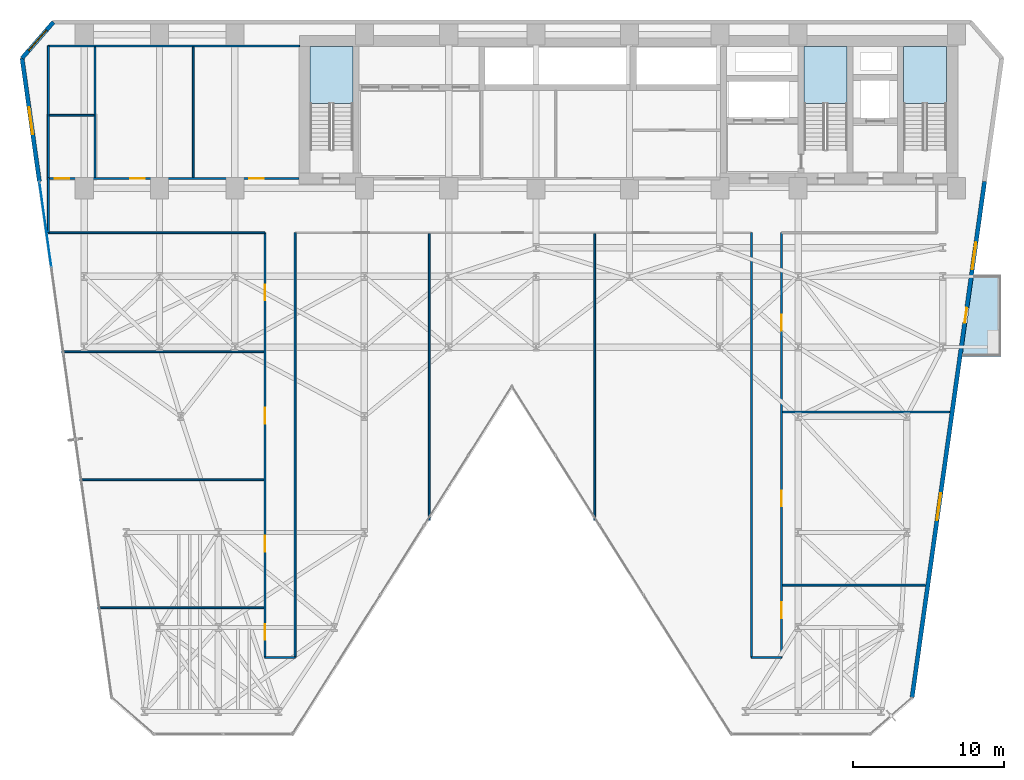
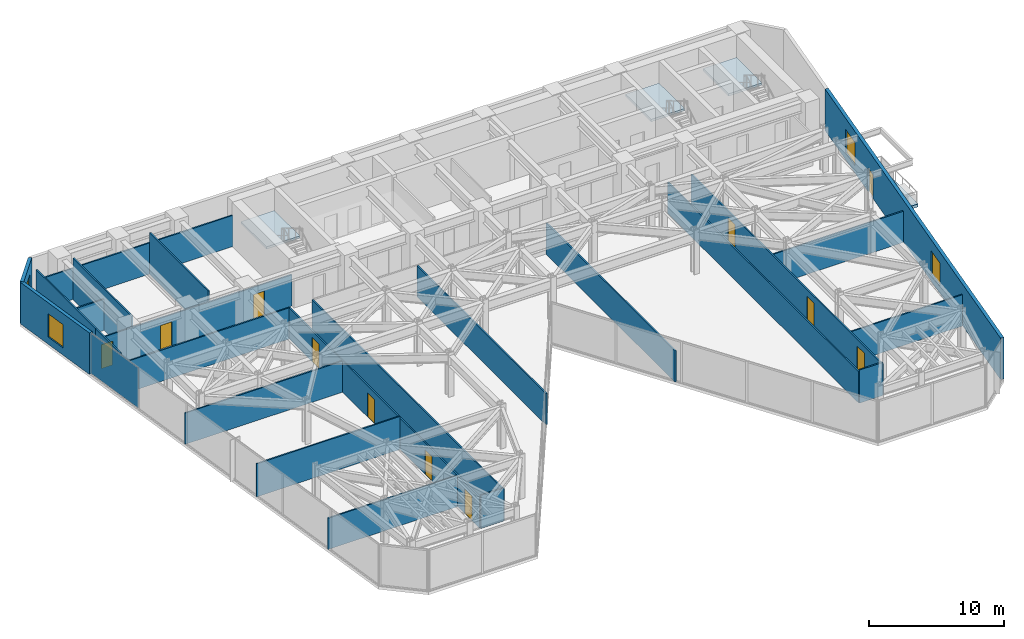
# One storey, part 19 of 25: 24 walls, 11 doors, 4 slabs, 4 windows, 1 plate, 15 openings, 4 elements without a shape of their own.
"""IFC4 building model written with IfcOpenShell, lengths in metres."""

from ifc_helpers import new_model, si_unit, direction, frame, frame_2d, origin, origin_2d, place, context, subcontext, project, spatial, polyline, rectangle, outline, extrude, material, layer, layer_set, type_object, element, fill, aggregate, save


model = new_model("IFC4")

# Units and contexts
model_context = context("Model", 3, precision=1e-05, world=origin(), true_north=direction((0.0, 1.0)))
body_context = subcontext(model_context, "Body", "Model", "MODEL_VIEW")
ifc_project = project(units=[si_unit("LENGTHUNIT", "METRE"), si_unit("AREAUNIT", "SQUARE_METRE"), si_unit("VOLUMEUNIT", "CUBIC_METRE"), si_unit("PLANEANGLEUNIT", "RADIAN"), si_unit("MASSUNIT", "GRAM", prefix="KILO")], contexts=[model_context])

# Site, building, storey
site_placement = place(None, origin())
site = spatial("IfcSite", under=ifc_project, at=site_placement, CompositionType="ELEMENT")
building_placement = place(site_placement, origin())
building = spatial("IfcBuilding", under=site, at=building_placement, Name="Kravanh Interchange Tower", CompositionType="ELEMENT")
storey_placement = place(building_placement, frame((0.0, 0.0, 33.5)))
storey = spatial("IfcBuildingStorey", under=building, at=storey_placement, Name="L07", CompositionType="ELEMENT", Elevation=33.5)

# Stair, slab
ifc_material_1 = material(Name="Concrete C50/60", Category="concrete")
stair_type = type_object("IfcStairType", Name="Core Fire Exit Dogleg Stair Concrete C50/60", PredefinedType="HALF_TURN_STAIR", material=ifc_material_1)
stair_1_placement = place(storey_placement, origin())
stair_1 = element("IfcStair", 1, at=stair_1_placement, inside=storey, type_object=stair_type, Name="L07 Exit Stair ST1", PredefinedType="HALF_TURN_STAIR")
ifc_material_2 = material(Name="Concrete C50/60", Category="concrete")
ifc_layer_1 = layer(ifc_material_2, 0.199951171875)
ifc_layer_set_1 = layer_set([ifc_layer_1], Name="Concrete C50/60 Stair Half-Landing Slab 200mm")
slab_type_1 = type_object("IfcSlabType", Name="Concrete C50/60 Stair Half-Landing Slab 200mm", PredefinedType="LANDING", material=ifc_layer_set_1)
slab_1_placement = place(storey_placement, frame((0.0, 0.0, 1.800048828125)))
slab_1 = element("IfcSlab", 2, at=slab_1_placement, type_object=slab_type_1, Name="ST1 landing 1", PredefinedType="LANDING", context=body_context, shape_type="SweptSolid", body=[
    extrude(outline(polyline([(65.85009765625, 42.97998046875), (65.85009765625, 46.75), (63.0, 46.75), (63.0, 42.97998046875), (65.85009765625, 42.97998046875)])), origin(), (0.0, 0.0, 1.0), 0.199951171875),
])
aggregate(stair_1, [slab_1])

stair_2_placement = place(storey_placement, origin())
stair_2 = element("IfcStair", 3, at=stair_2_placement, inside=storey, type_object=stair_type, Name="L07 Exit Stair ST2", PredefinedType="HALF_TURN_STAIR")
slab_2_placement = place(storey_placement, frame((0.0, 0.0, 1.800048828125)))
slab_2 = element("IfcSlab", 4, at=slab_2_placement, type_object=slab_type_1, Name="ST2 landing 1", PredefinedType="LANDING", context=body_context, shape_type="SweptSolid", body=[
    extrude(outline(polyline([(59.25, 42.97998046875), (59.25, 46.75), (56.39990234375, 46.75), (56.39990234375, 42.97998046875), (59.25, 42.97998046875)])), origin(), (0.0, 0.0, 1.0), 0.199951171875),
])
aggregate(stair_2, [slab_2])

stair_3_placement = place(storey_placement, origin())
stair_3 = element("IfcStair", 5, at=stair_3_placement, inside=storey, type_object=stair_type, Name="L07 Exit Stair ST3", PredefinedType="HALF_TURN_STAIR")
slab_3_placement = place(storey_placement, frame((0.0, 0.0, 1.800048828125)))
slab_3 = element("IfcSlab", 6, at=slab_3_placement, type_object=slab_type_1, Name="ST3 landing 1", PredefinedType="LANDING", context=body_context, shape_type="SweptSolid", body=[
    extrude(outline(polyline([(26.449951171875, 42.97998046875), (26.449951171875, 46.75), (23.60009765625, 46.75), (23.60009765625, 42.97998046875), (26.449951171875, 42.97998046875)])), origin(), (0.0, 0.0, 1.0), 0.199951171875),
])
aggregate(stair_3, [slab_3])

# Slab
ifc_material_3 = material(Name="Concrete C50/60", Category="concrete")
ifc_layer_2 = layer(ifc_material_3, 0.199951171875)
ifc_layer_set_2 = layer_set([ifc_layer_2], Name="Planted Tree Balcony Slab Concrete C50/60 200mm")
slab_type_2 = type_object("IfcSlabType", Name="Planted Tree Balcony Slab Concrete C50/60 200mm", PredefinedType="USERDEFINED", material=ifc_layer_set_2)
slab_4_placement = place(storey_placement, frame((0.0, 0.0, -0.260009765625)))
element("IfcSlab", 7, at=slab_4_placement, inside=storey, type_object=slab_type_2, Name="L07 East Tree Planter Balcony Slab", ObjectType="BALCONY", PredefinedType="USERDEFINED", context=body_context, shape_type="SweptSolid", body=[
    extrude(outline(polyline([(69.472900390625, 31.590087890625), (69.472900390625, 26.18994140625), (66.879638671875, 26.18994140625), (67.638671875, 31.590087890625), (69.472900390625, 31.590087890625)])), origin(), (0.0, 0.0, 1.0), 0.260009765625),
])

# Curtain wall, plate
ifc_material_4 = material(Name="Anodised Bronze Aluminium", Category="aluminium")
ifc_layer_3 = layer(ifc_material_4, 0.179931640625)
ifc_layer_set_3 = layer_set([ifc_layer_3], Name="Unitised Curtain Wall System CW-Z1 Lower Office")
curtain_wall_type = type_object("IfcCurtainWallType", Name="Unitised Curtain Wall System CW-Z1 Lower Office", PredefinedType="NOTDEFINED", material=ifc_layer_set_3)
curtain_wall_placement = place(storey_placement, origin())
curtain_wall = element("IfcCurtainWall", 8, at=curtain_wall_placement, inside=storey, type_object=curtain_wall_type, Name="L07 Unitised Curtain Wall CW-L07-01", PredefinedType="NOTDEFINED")
ifc_material_5 = material(Name="Low-E Laminated Architectural Glass", Category="glass")
ifc_layer_4 = layer(ifc_material_5, 0.028076171875)
ifc_layer_set_4 = layer_set([ifc_layer_4], Name="Solar-Control Double Glazing 28mm")
plate_type = type_object("IfcPlateType", Name="Solar-Control Double Glazing 28mm", PredefinedType="CURTAIN_PANEL", material=ifc_layer_set_4)
plate_placement = place(storey_placement, frame((6.028564453125, 34.927490234375, 0.06005859375), z_axis=(0.0, 0.0, 1.0), x_axis=(-0.139176538065, 0.990267585682, 0.0)))
plate = element("IfcPlate", 9, at=plate_placement, type_object=plate_type, Name="CW-Z1 panel 6.1", PredefinedType="CURTAIN_PANEL", context=body_context, shape_type="SweptSolid", body=[
    extrude(rectangle(XDim=5.66162109375, YDim=0.028076171875, at=origin_2d()), origin(), (0.0, 0.0, 1.0), 3.6201171875),
])
aggregate(curtain_wall, [plate])

# Wall, openings, doors
ifc_material_6 = material(Name="Double Acoustic Gypsum Board and Mineral Wool")
ifc_layer_5 = layer(ifc_material_6, 0.1201171875)
ifc_layer_set_5 = layer_set([ifc_layer_5], Name="Acoustic Office Drywall Partition 120mm")
wall_type_1 = type_object("IfcWallType", Name="Acoustic Office Drywall Partition 120mm", PredefinedType="PARTITIONING", material=ifc_layer_set_5)
wall_1_placement = place(storey_placement, frame((6.219970703125, 38.0, 0.0), z_axis=(0.0, 0.0, 1.0), x_axis=(1.0, 0.0, 0.0)))
wall_1 = element("IfcWall", 10, at=wall_1_placement, inside=storey, type_object=wall_type_1, Name="L07 Restroom Corridor Wall 7", PredefinedType="PARTITIONING", context=body_context, shape_type="SweptSolid", body=[
    extrude(rectangle(XDim=16.630126953125, YDim=0.1201171875, at=frame_2d((8.31494140625, 0.0))), origin(), (0.0, 0.0, 1.0), 2.81298828125),
])
opening_1_placement = place(wall_1_placement, frame((0.424072265625, 0.0, 0.0)))
opening_1 = element("IfcOpeningElement", 11, at=opening_1_placement, cuts=wall_1, Name="Opening D-95", PredefinedType="OPENING", context=body_context, shape_type="SweptSolid", body=[
    extrude(rectangle(XDim=0.949951171875, YDim=2.14990234375, at=frame_2d((0.47509765625, 1.074951171875))), frame((0.0, 0.070068359375, 0.0), z_axis=(0.0, -1.0, 0.0), x_axis=(1.0, 0.0, 0.0)), (0.0, 0.0, 1.0), 0.14013671875),
])
opening_2_placement = place(wall_1_placement, frame((5.444091796875, 0.0, 0.0)))
opening_2 = element("IfcOpeningElement", 12, at=opening_2_placement, cuts=wall_1, Name="Opening D-95", PredefinedType="OPENING", context=body_context, shape_type="SweptSolid", body=[
    extrude(rectangle(XDim=0.949951171875, YDim=2.14990234375, at=frame_2d((0.47509765625, 1.074951171875))), frame((0.0, 0.070068359375, 0.0), z_axis=(0.0, -1.0, 0.0), x_axis=(1.0, 0.0, 0.0)), (0.0, 0.0, 1.0), 0.14013671875),
])
opening_3_placement = place(wall_1_placement, frame((13.343994140625, 0.0, 0.0)))
opening_3 = element("IfcOpeningElement", 13, at=opening_3_placement, cuts=wall_1, Name="Opening D-95", PredefinedType="OPENING", context=body_context, shape_type="SweptSolid", body=[
    extrude(rectangle(XDim=0.949951171875, YDim=2.14990234375, at=frame_2d((0.47509765625, 1.074951171875))), frame((0.0, 0.070068359375, 0.0), z_axis=(0.0, -1.0, 0.0), x_axis=(1.0, 0.0, 0.0)), (0.0, 0.0, 1.0), 0.14013671875),
])
ifc_material_7 = material(Name="Laminate Solid-Core Timber", Category="wood")
door_type_1 = type_object("IfcDoorType", Name="Accessible Restroom Door 950x2150", OperationType="NOTDEFINED", PredefinedType="DOOR", material=ifc_material_7)
door_1_placement = place(opening_1_placement, origin())
door_1 = element("IfcDoor", 14, at=door_1_placement, inside=storey, type_object=door_type_1, Name="L07 Accessible WC Door", OperationType="SINGLE_SWING_RIGHT", OverallHeight=2.14990234375, OverallWidth=0.949951171875, PredefinedType="DOOR", context=body_context, shape_type="SweptSolid", body=[
    extrude(rectangle(XDim=0.949951171875, YDim=2.14990234375, at=frame_2d((0.47509765625, 1.074951171875))), frame((0.0, 0.02490234375, 0.0), z_axis=(0.0, -1.0, 0.0), x_axis=(1.0, 0.0, 0.0)), (0.0, 0.0, 1.0), 0.050048828125),
])
fill(opening_1, door_1)
door_2_placement = place(opening_2_placement, origin())
door_2 = element("IfcDoor", 15, at=door_2_placement, inside=storey, type_object=door_type_1, Name="L07 Female WC Door", OperationType="SINGLE_SWING_LEFT", OverallHeight=2.14990234375, OverallWidth=0.949951171875, PredefinedType="DOOR", context=body_context, shape_type="SweptSolid", body=[
    extrude(rectangle(XDim=0.949951171875, YDim=2.14990234375, at=frame_2d((0.47509765625, 1.074951171875))), frame((0.0, 0.02490234375, 0.0), z_axis=(0.0, -1.0, 0.0), x_axis=(1.0, 0.0, 0.0)), (0.0, 0.0, 1.0), 0.050048828125),
])
fill(opening_2, door_2)
door_3_placement = place(opening_3_placement, origin())
door_3 = element("IfcDoor", 16, at=door_3_placement, inside=storey, type_object=door_type_1, Name="L07 Male WC Door", OperationType="SINGLE_SWING_RIGHT", OverallHeight=2.14990234375, OverallWidth=0.949951171875, PredefinedType="DOOR", context=body_context, shape_type="SweptSolid", body=[
    extrude(rectangle(XDim=0.949951171875, YDim=2.14990234375, at=frame_2d((0.47509765625, 1.074951171875))), frame((0.0, 0.02490234375, 0.0), z_axis=(0.0, -1.0, 0.0), x_axis=(1.0, 0.0, 0.0)), (0.0, 0.0, 1.0), 0.050048828125),
])
fill(opening_3, door_3)

# Walls
wall_2_placement = place(storey_placement, frame((6.219970703125, 38.0, 0.0), z_axis=(0.0, 0.0, 1.0), x_axis=(0.0, 1.0, 0.0)))
element("IfcWall", 17, at=wall_2_placement, inside=storey, type_object=wall_type_1, Name="L07 Restroom West Enclosure 8", PredefinedType="PARTITIONING", context=body_context, shape_type="SweptSolid", body=[
    extrude(rectangle(XDim=8.800048828125, YDim=0.1201171875, at=frame_2d((4.39990234375, 0.0))), origin(), (0.0, 0.0, 1.0), 3.739990234375),
])
wall_3_placement = place(storey_placement, frame((6.219970703125, 46.800048828125, 0.0), z_axis=(0.0, 0.0, 1.0), x_axis=(1.0, 0.0, 0.0)))
element("IfcWall", 18, at=wall_3_placement, inside=storey, type_object=wall_type_1, Name="L07 Restroom North Enclosure 9", PredefinedType="PARTITIONING", context=body_context, shape_type="SweptSolid", body=[
    extrude(rectangle(XDim=16.679931640625, YDim=0.1201171875, at=frame_2d((8.33984375, 0.0))), origin(), (0.0, 0.0, 1.0), 2.81298828125),
])
for number, where, z_axis, x_axis, name in (
    (19, (9.320068359375, 38.068115234375, 0.0), (0.0, 0.0, 1.0), (0.0, 1.0, 0.0), "L07 Interior Partition 10"),
    (20, (15.840087890625, 38.068115234375, 0.0), (0.0, 0.0, 1.0), (0.0, 1.0, 0.0), "L07 Interior Partition 11"),
):
    element("IfcWall", number, at=place(storey_placement, frame(where, z_axis=z_axis, x_axis=x_axis)), inside=storey, type_object=wall_type_1, Name=name, PredefinedType="PARTITIONING", context=body_context, shape_type="SweptSolid", body=[
        extrude(rectangle(XDim=8.663818359375, YDim=0.1201171875, at=frame_2d((4.33203125, 0.0))), origin(), (0.0, 0.0, 1.0), 3.739990234375),
    ])
wall_4_placement = place(storey_placement, frame((6.2880859375, 42.199951171875, 0.0), z_axis=(0.0, 0.0, 1.0), x_axis=(1.0, 0.0, 0.0)))
element("IfcWall", 21, at=wall_4_placement, inside=storey, type_object=wall_type_1, Name="L07 Interior Partition 12", PredefinedType="PARTITIONING", context=body_context, shape_type="SweptSolid", body=[
    extrude(rectangle(XDim=2.9638671875, YDim=0.1201171875, at=frame_2d((1.48193359375, 0.0))), origin(), (0.0, 0.0, 1.0), 2.81298828125),
])
wall_5_placement = place(storey_placement, frame((6.219970703125, 34.39990234375, 0.0), z_axis=(0.0, 0.0, 1.0), x_axis=(1.0, 0.0, 0.0)))
element("IfcWall", 22, at=wall_5_placement, inside=storey, type_object=wall_type_1, Name="L07 Interior Partition 13", PredefinedType="PARTITIONING", context=body_context, shape_type="SweptSolid", body=[
    extrude(rectangle(XDim=14.380126953125, YDim=0.1201171875, at=frame_2d((7.18994140625, 0.0))), origin(), (0.0, 0.0, 1.0), 2.81298828125),
])
wall_6_placement = place(storey_placement, frame((6.219970703125, 34.39990234375, 0.0), z_axis=(0.0, 0.0, 1.0), x_axis=(0.0, 1.0, 0.0)))
element("IfcWall", 23, at=wall_6_placement, inside=storey, type_object=wall_type_1, Name="L07 Interior Partition 16", PredefinedType="PARTITIONING", context=body_context, shape_type="SweptSolid", body=[
    extrude(rectangle(XDim=3.650146484375, YDim=0.1201171875, at=frame_2d((1.8251953125, 0.0))), origin(), (0.0, 0.0, 1.0), 3.739990234375),
])

# Wall, openings, doors
wall_7_placement = place(storey_placement, frame((20.60009765625, 6.199951171875, 0.0), z_axis=(0.0, 0.0, 1.0), x_axis=(0.0, 1.0, 0.0)))
wall_7 = element("IfcWall", 24, at=wall_7_placement, inside=storey, type_object=wall_type_1, Name="L07 Interior Partition 18", PredefinedType="PARTITIONING", context=body_context, shape_type="SweptSolid", body=[
    extrude(rectangle(XDim=28.199951171875, YDim=0.1201171875, at=frame_2d((14.10009765625, 0.0))), origin(), (0.0, 0.0, 1.0), 2.81298828125),
])
opening_4_placement = place(wall_7_placement, frame((1.166015625, 0.0, 0.0)))
opening_4 = element("IfcOpeningElement", 25, at=opening_4_placement, cuts=wall_7, Name="Opening D-105", PredefinedType="OPENING", context=body_context, shape_type="SweptSolid", body=[
    extrude(rectangle(XDim=1.050048828125, YDim=2.199951171875, at=frame_2d((0.52490234375, 1.10009765625))), frame((0.0, 0.070068359375, 0.0), z_axis=(0.0, -1.0, 0.0), x_axis=(1.0, 0.0, 0.0)), (0.0, 0.0, 1.0), 0.14013671875),
])
opening_5_placement = place(wall_7_placement, frame((7.02490234375, 0.0, 0.0)))
opening_5 = element("IfcOpeningElement", 26, at=opening_5_placement, cuts=wall_7, Name="Opening D-105", PredefinedType="OPENING", context=body_context, shape_type="SweptSolid", body=[
    extrude(rectangle(XDim=1.050048828125, YDim=2.199951171875, at=frame_2d((0.52490234375, 1.10009765625))), frame((0.0, 0.070068359375, 0.0), z_axis=(0.0, -1.0, 0.0), x_axis=(1.0, 0.0, 0.0)), (0.0, 0.0, 1.0), 0.14013671875),
])
opening_6_placement = place(wall_7_placement, frame((15.52490234375, 0.0, 0.0)))
opening_6 = element("IfcOpeningElement", 27, at=opening_6_placement, cuts=wall_7, Name="Opening D-105", PredefinedType="OPENING", context=body_context, shape_type="SweptSolid", body=[
    extrude(rectangle(XDim=1.050048828125, YDim=2.199951171875, at=frame_2d((0.52490234375, 1.10009765625))), frame((0.0, 0.070068359375, 0.0), z_axis=(0.0, -1.0, 0.0), x_axis=(1.0, 0.0, 0.0)), (0.0, 0.0, 1.0), 0.14013671875),
])
opening_7_placement = place(wall_7_placement, frame((23.699951171875, 0.0, 0.0)))
opening_7 = element("IfcOpeningElement", 28, at=opening_7_placement, cuts=wall_7, Name="Opening D-105", PredefinedType="OPENING", context=body_context, shape_type="SweptSolid", body=[
    extrude(rectangle(XDim=1.050048828125, YDim=2.199951171875, at=frame_2d((0.52490234375, 1.10009765625))), frame((0.0, 0.070068359375, 0.0), z_axis=(0.0, -1.0, 0.0), x_axis=(1.0, 0.0, 0.0)), (0.0, 0.0, 1.0), 0.14013671875),
])
ifc_material_8 = material(Name="Acoustic Glazed Oak and Aluminium", Category="aluminium")
door_type_2 = type_object("IfcDoorType", Name="Office Workplace Door 1050x2200", OperationType="NOTDEFINED", PredefinedType="DOOR", material=ifc_material_8)
door_4_placement = place(opening_4_placement, origin())
door_4 = element("IfcDoor", 29, at=door_4_placement, inside=storey, type_object=door_type_2, Name="L07 SW Corner Office Door", OperationType="SINGLE_SWING_LEFT", OverallHeight=2.199951171875, OverallWidth=1.050048828125, PredefinedType="DOOR", context=body_context, shape_type="SweptSolid", body=[
    extrude(rectangle(XDim=1.050048828125, YDim=2.199951171875, at=frame_2d((0.52490234375, 1.10009765625))), frame((0.0, 0.02490234375, 0.0), z_axis=(0.0, -1.0, 0.0), x_axis=(1.0, 0.0, 0.0)), (0.0, 0.0, 1.0), 0.050048828125),
])
fill(opening_4, door_4)
door_5_placement = place(opening_5_placement, origin())
door_5 = element("IfcDoor", 30, at=door_5_placement, inside=storey, type_object=door_type_2, Name="L07 West Partner Office Door", OperationType="SINGLE_SWING_RIGHT", OverallHeight=2.199951171875, OverallWidth=1.050048828125, PredefinedType="DOOR", context=body_context, shape_type="SweptSolid", body=[
    extrude(rectangle(XDim=1.050048828125, YDim=2.199951171875, at=frame_2d((0.52490234375, 1.10009765625))), frame((0.0, 0.02490234375, 0.0), z_axis=(0.0, -1.0, 0.0), x_axis=(1.0, 0.0, 0.0)), (0.0, 0.0, 1.0), 0.050048828125),
])
fill(opening_5, door_5)
door_6_placement = place(opening_6_placement, origin())
door_6 = element("IfcDoor", 31, at=door_6_placement, inside=storey, type_object=door_type_2, Name="L07 West Balcony Office Door", OperationType="SINGLE_SWING_LEFT", OverallHeight=2.199951171875, OverallWidth=1.050048828125, PredefinedType="DOOR", context=body_context, shape_type="SweptSolid", body=[
    extrude(rectangle(XDim=1.050048828125, YDim=2.199951171875, at=frame_2d((0.52490234375, 1.10009765625))), frame((0.0, 0.02490234375, 0.0), z_axis=(0.0, -1.0, 0.0), x_axis=(1.0, 0.0, 0.0)), (0.0, 0.0, 1.0), 0.050048828125),
])
fill(opening_6, door_6)
door_7_placement = place(opening_7_placement, origin())
door_7 = element("IfcDoor", 32, at=door_7_placement, inside=storey, type_object=door_type_2, Name="L07 NW Legal Office Door", OperationType="SINGLE_SWING_RIGHT", OverallHeight=2.199951171875, OverallWidth=1.050048828125, PredefinedType="DOOR", context=body_context, shape_type="SweptSolid", body=[
    extrude(rectangle(XDim=1.050048828125, YDim=2.199951171875, at=frame_2d((0.52490234375, 1.10009765625))), frame((0.0, 0.02490234375, 0.0), z_axis=(0.0, -1.0, 0.0), x_axis=(1.0, 0.0, 0.0)), (0.0, 0.0, 1.0), 0.050048828125),
])
fill(opening_7, door_7)

# Walls
wall_8_placement = place(storey_placement, frame((22.60009765625, 6.199951171875, 0.0), z_axis=(0.0, 0.0, 1.0), x_axis=(0.0, 1.0, 0.0)))
element("IfcWall", 33, at=wall_8_placement, inside=storey, type_object=wall_type_1, Name="L07 Interior Partition 19", PredefinedType="PARTITIONING", context=body_context, shape_type="SweptSolid", body=[
    extrude(rectangle(XDim=28.199951171875, YDim=0.1201171875, at=frame_2d((14.10009765625, 0.0))), origin(), (0.0, 0.0, 1.0), 2.81298828125),
])
wall_9_placement = place(storey_placement, frame((20.60009765625, 6.199951171875, 0.0), z_axis=(0.0, 0.0, 1.0), x_axis=(1.0, 0.0, 0.0)))
element("IfcWall", 34, at=wall_9_placement, inside=storey, type_object=wall_type_1, Name="L07 Interior Partition 20", PredefinedType="PARTITIONING", context=body_context, shape_type="SweptSolid", body=[
    extrude(rectangle(XDim=2.0, YDim=0.1201171875, at=frame_2d((1.0, 0.0))), origin(), (0.0, 0.0, 1.0), 2.97802734375),
])
wall_10_placement = place(storey_placement, frame((52.89990234375, 6.199951171875, 0.0), z_axis=(0.0, 0.0, 1.0), x_axis=(0.0, 1.0, 0.0)))
element("IfcWall", 35, at=wall_10_placement, inside=storey, type_object=wall_type_1, Name="L07 Interior Partition 21", PredefinedType="PARTITIONING", context=body_context, shape_type="SweptSolid", body=[
    extrude(rectangle(XDim=28.199951171875, YDim=0.1201171875, at=frame_2d((14.10009765625, 0.0))), origin(), (0.0, 0.0, 1.0), 2.81298828125),
])

# Wall, openings, doors
wall_11_placement = place(storey_placement, frame((54.89990234375, 6.199951171875, 0.0), z_axis=(0.0, 0.0, 1.0), x_axis=(0.0, 1.0, 0.0)))
wall_11 = element("IfcWall", 36, at=wall_11_placement, inside=storey, type_object=wall_type_1, Name="L07 Interior Partition 22", PredefinedType="PARTITIONING", context=body_context, shape_type="SweptSolid", body=[
    extrude(rectangle(XDim=28.199951171875, YDim=0.1201171875, at=frame_2d((14.10009765625, 0.0))), origin(), (0.0, 0.0, 1.0), 2.81298828125),
])
opening_8_placement = place(wall_11_placement, frame((2.601318359375, 0.0, 0.0)))
opening_8 = element("IfcOpeningElement", 37, at=opening_8_placement, cuts=wall_11, Name="Opening D-105", PredefinedType="OPENING", context=body_context, shape_type="SweptSolid", body=[
    extrude(rectangle(XDim=1.050048828125, YDim=2.199951171875, at=frame_2d((0.52490234375, 1.10009765625))), frame((0.0, 0.070068359375, 0.0), z_axis=(0.0, -1.0, 0.0), x_axis=(1.0, 0.0, 0.0)), (0.0, 0.0, 1.0), 0.14013671875),
])
opening_9_placement = place(wall_11_placement, frame((10.02490234375, 0.0, 0.0)))
opening_9 = element("IfcOpeningElement", 38, at=opening_9_placement, cuts=wall_11, Name="Opening D-105", PredefinedType="OPENING", context=body_context, shape_type="SweptSolid", body=[
    extrude(rectangle(XDim=1.050048828125, YDim=2.199951171875, at=frame_2d((0.52490234375, 1.10009765625))), frame((0.0, 0.070068359375, 0.0), z_axis=(0.0, -1.0, 0.0), x_axis=(1.0, 0.0, 0.0)), (0.0, 0.0, 1.0), 0.14013671875),
])
opening_10_placement = place(wall_11_placement, frame((21.699951171875, 0.0, 0.0)))
opening_10 = element("IfcOpeningElement", 39, at=opening_10_placement, cuts=wall_11, Name="Opening D-105", PredefinedType="OPENING", context=body_context, shape_type="SweptSolid", body=[
    extrude(rectangle(XDim=1.050048828125, YDim=2.199951171875, at=frame_2d((0.52490234375, 1.10009765625))), frame((0.0, 0.070068359375, 0.0), z_axis=(0.0, -1.0, 0.0), x_axis=(1.0, 0.0, 0.0)), (0.0, 0.0, 1.0), 0.14013671875),
])
door_8_placement = place(opening_8_placement, origin())
door_8 = element("IfcDoor", 40, at=door_8_placement, inside=storey, type_object=door_type_2, Name="L07 SE Executive Office Door", OperationType="SINGLE_SWING_LEFT", OverallHeight=2.199951171875, OverallWidth=1.050048828125, PredefinedType="DOOR", context=body_context, shape_type="SweptSolid", body=[
    extrude(rectangle(XDim=1.050048828125, YDim=2.199951171875, at=frame_2d((0.52490234375, 1.10009765625))), frame((0.0, 0.02490234375, 0.0), z_axis=(0.0, -1.0, 0.0), x_axis=(1.0, 0.0, 0.0)), (0.0, 0.0, 1.0), 0.050048828125),
])
fill(opening_8, door_8)
door_9_placement = place(opening_9_placement, origin())
door_9 = element("IfcDoor", 41, at=door_9_placement, inside=storey, type_object=door_type_2, Name="L07 East Associates Office Door", OperationType="SINGLE_SWING_RIGHT", OverallHeight=2.199951171875, OverallWidth=1.050048828125, PredefinedType="DOOR", context=body_context, shape_type="SweptSolid", body=[
    extrude(rectangle(XDim=1.050048828125, YDim=2.199951171875, at=frame_2d((0.52490234375, 1.10009765625))), frame((0.0, 0.02490234375, 0.0), z_axis=(0.0, -1.0, 0.0), x_axis=(1.0, 0.0, 0.0)), (0.0, 0.0, 1.0), 0.050048828125),
])
fill(opening_9, door_9)
door_10_placement = place(opening_10_placement, origin())
door_10 = element("IfcDoor", 42, at=door_10_placement, inside=storey, type_object=door_type_2, Name="L07 East Balcony Lounge Door", OperationType="SINGLE_SWING_LEFT", OverallHeight=2.199951171875, OverallWidth=1.050048828125, PredefinedType="DOOR", context=body_context, shape_type="SweptSolid", body=[
    extrude(rectangle(XDim=1.050048828125, YDim=2.199951171875, at=frame_2d((0.52490234375, 1.10009765625))), frame((0.0, 0.02490234375, 0.0), z_axis=(0.0, -1.0, 0.0), x_axis=(1.0, 0.0, 0.0)), (0.0, 0.0, 1.0), 0.050048828125),
])
fill(opening_10, door_10)

# Walls
wall_12_placement = place(storey_placement, frame((52.89990234375, 6.199951171875, 0.0), z_axis=(0.0, 0.0, 1.0), x_axis=(1.0, 0.0, 0.0)))
element("IfcWall", 43, at=wall_12_placement, inside=storey, type_object=wall_type_1, Name="L07 Interior Partition 23", PredefinedType="PARTITIONING", context=body_context, shape_type="SweptSolid", body=[
    extrude(rectangle(XDim=2.0, YDim=0.1201171875, at=frame_2d((1.0, 0.0))), origin(), (0.0, 0.0, 1.0), 2.97802734375),
])
wall_13_placement = place(storey_placement, frame((9.496337890625, 9.5, 0.0), z_axis=(0.0, 0.0, 1.0), x_axis=(1.0, 0.0, 0.0)))
element("IfcWall", 44, at=wall_13_placement, inside=storey, type_object=wall_type_1, Name="L07 Interior Partition 24", PredefinedType="PARTITIONING", context=body_context, shape_type="SweptSolid", body=[
    extrude(rectangle(XDim=11.03564453125, YDim=0.1201171875, at=frame_2d((5.517822265625, 0.0))), origin(), (0.0, 0.0, 1.0), 2.81298828125),
])
wall_14_placement = place(storey_placement, frame((8.3017578125, 18.0, 0.0), z_axis=(0.0, 0.0, 1.0), x_axis=(1.0, 0.0, 0.0)))
element("IfcWall", 45, at=wall_14_placement, inside=storey, type_object=wall_type_1, Name="L07 Interior Partition 25", PredefinedType="PARTITIONING", context=body_context, shape_type="SweptSolid", body=[
    extrude(rectangle(XDim=12.230224609375, YDim=0.1201171875, at=frame_2d((6.115234375, 0.0))), origin(), (0.0, 0.0, 1.0), 2.97802734375),
])
wall_15_placement = place(storey_placement, frame((7.10693359375, 26.5, 0.0), z_axis=(0.0, 0.0, 1.0), x_axis=(1.0, 0.0, 0.0)))
element("IfcWall", 46, at=wall_15_placement, inside=storey, type_object=wall_type_1, Name="L07 Interior Partition 26", PredefinedType="PARTITIONING", context=body_context, shape_type="SweptSolid", body=[
    extrude(rectangle(XDim=13.425048828125, YDim=0.1201171875, at=frame_2d((6.71240234375, 0.0))), origin(), (0.0, 0.0, 1.0), 2.81298828125),
])
wall_16_placement = place(storey_placement, frame((54.968017578125, 11.0, 0.0), z_axis=(0.0, 0.0, 1.0), x_axis=(1.0, 0.0, 0.0)))
element("IfcWall", 47, at=wall_16_placement, inside=storey, type_object=wall_type_1, Name="L07 Interior Partition 27", PredefinedType="PARTITIONING", context=body_context, shape_type="SweptSolid", body=[
    extrude(rectangle(XDim=9.473876953125, YDim=0.1201171875, at=frame_2d((4.73681640625, 0.0))), origin(), (0.0, 0.0, 1.0), 2.81298828125),
])
wall_17_placement = place(storey_placement, frame((54.968017578125, 22.5, 0.0), z_axis=(0.0, 0.0, 1.0), x_axis=(1.0, 0.0, 0.0)))
element("IfcWall", 48, at=wall_17_placement, inside=storey, type_object=wall_type_1, Name="L07 Interior Partition 28", PredefinedType="PARTITIONING", context=body_context, shape_type="SweptSolid", body=[
    extrude(rectangle(XDim=11.090087890625, YDim=0.1201171875, at=frame_2d((5.544921875, 0.0))), origin(), (0.0, 0.0, 1.0), 2.81298828125),
])
for number, where, z_axis, x_axis, name in (
    (49, (31.5, 15.303955078125, 0.0), (0.0, 0.0, 1.0), (0.0, 1.0, 0.0), "L07 Interior Partition 29"),
    (50, (42.5, 15.303955078125, 0.0), (0.0, 0.0, 1.0), (0.0, 1.0, 0.0), "L07 Interior Partition 30"),
):
    element("IfcWall", number, at=place(storey_placement, frame(where, z_axis=z_axis, x_axis=x_axis)), inside=storey, type_object=wall_type_1, Name=name, PredefinedType="PARTITIONING", context=body_context, shape_type="SweptSolid", body=[
        extrude(rectangle(XDim=19.028076171875, YDim=0.1201171875, at=frame_2d((9.51416015625, 0.0))), origin(), (0.0, 0.0, 1.0), 2.81298828125),
    ])

# Wall, opening, window
ifc_material_9 = material(Name="Insulated Precast Concrete C40/50 with Bronze Cladding", Category="concrete")
ifc_layer_6 = layer(ifc_material_9, 0.280029296875)
ifc_layer_set_6 = layer_set([ifc_layer_6], Name="Exterior Insulated Concrete C40/50 Bronze Spandrel Wall 280mm")
wall_type_2 = type_object("IfcWallType", Name="Exterior Insulated Concrete C40/50 Bronze Spandrel Wall 280mm", PredefinedType="STANDARD", material=ifc_layer_set_6)
wall_18_placement = place(storey_placement, frame((5.625, 37.800048828125, 0.0), z_axis=(0.0, 0.0, 1.0), x_axis=(-0.139180172484, 0.990267074878, 0.0)))
wall_18 = element("IfcWall", 51, at=wall_18_placement, inside=storey, type_object=wall_type_2, Name="L07 Exterior Wall 1", PredefinedType="STANDARD", context=body_context, shape_type="SweptSolid", body=[
    extrude(rectangle(XDim=8.267333984375, YDim=0.280029296875, at=frame_2d((4.1337890625, 0.0))), origin(), (0.0, 0.0, 1.0), 3.739990234375),
])
opening_11_placement = place(wall_18_placement, frame((3.1728515625, 0.0, 0.64990234375)))
opening_11 = element("IfcOpeningElement", 52, at=opening_11_placement, cuts=wall_18, Name="Opening WN-180X210", PredefinedType="OPENING", context=body_context, shape_type="SweptSolid", body=[
    extrude(rectangle(XDim=1.800048828125, YDim=2.10009765625, at=frame_2d((0.89990234375, 1.050048828125))), frame((0.0, 0.14990234375, 0.0), z_axis=(0.0, -1.0, 0.0), x_axis=(1.0, 0.0, 0.0)), (0.0, 0.0, 1.0), 0.300048828125),
])
ifc_material_10 = material(Name="Thermally Broken Bronze Aluminium and Low-E Glass", Category="aluminium")
window_type = type_object("IfcWindowType", Name="Tower Pier Window 1800x2100", PartitioningType="SINGLE_PANEL", PredefinedType="WINDOW", material=ifc_material_10)
window_1_placement = place(opening_11_placement, origin())
window_1 = element("IfcWindow", 53, at=window_1_placement, inside=storey, type_object=window_type, Name="L07 Corner Window 1", OverallHeight=2.10009765625, OverallWidth=1.800048828125, PartitioningType="SINGLE_PANEL", PredefinedType="WINDOW", context=body_context, shape_type="SweptSolid", body=[
    extrude(rectangle(XDim=1.800048828125, YDim=2.10009765625, at=frame_2d((0.89990234375, 1.050048828125))), frame((0.0, 0.030029296875, 0.0), z_axis=(0.0, -1.0, 0.0), x_axis=(1.0, 0.0, 0.0)), (0.0, 0.0, 1.0), 0.06005859375),
])
fill(opening_11, window_1)

wall_19_placement = place(storey_placement, frame((4.474365234375, 45.98681640625, 0.0), z_axis=(0.0, 0.0, 1.0), x_axis=(0.656070053895, 0.754699996278, 0.0)))
wall_19 = element("IfcWall", 54, at=wall_19_placement, inside=storey, type_object=wall_type_2, Name="L07 Exterior Wall 2", PredefinedType="STANDARD", context=body_context, shape_type="SweptSolid", body=[
    extrude(rectangle(XDim=3.1708984375, YDim=0.280029296875, at=frame_2d((1.58544921875, 0.0))), origin(), (0.0, 0.0, 1.0), 3.739990234375),
])
opening_12_placement = place(wall_19_placement, frame((0.66650390625, 0.0, 0.64990234375)))
opening_12 = element("IfcOpeningElement", 55, at=opening_12_placement, cuts=wall_19, Name="Opening WN-180X210", PredefinedType="OPENING", context=body_context, shape_type="SweptSolid", body=[
    extrude(rectangle(XDim=1.800048828125, YDim=2.10009765625, at=frame_2d((0.89990234375, 1.050048828125))), frame((0.0, 0.14990234375, 0.0), z_axis=(0.0, -1.0, 0.0), x_axis=(1.0, 0.0, 0.0)), (0.0, 0.0, 1.0), 0.300048828125),
])
window_2_placement = place(opening_12_placement, origin())
window_2 = element("IfcWindow", 56, at=window_2_placement, inside=storey, type_object=window_type, Name="L07 Corner Window 2", OverallHeight=2.10009765625, OverallWidth=1.800048828125, PartitioningType="SINGLE_PANEL", PredefinedType="WINDOW", context=body_context, shape_type="SweptSolid", body=[
    extrude(rectangle(XDim=1.800048828125, YDim=2.10009765625, at=frame_2d((0.89990234375, 1.050048828125))), frame((0.0, 0.030029296875, 0.0), z_axis=(0.0, -1.0, 0.0), x_axis=(1.0, 0.0, 0.0)), (0.0, 0.0, 1.0), 0.06005859375),
])
fill(opening_12, window_2)

# Wall, openings, door, windows
wall_20_placement = place(storey_placement, frame((68.375, 37.800048828125, 0.0), z_axis=(0.0, 0.0, 1.0), x_axis=(-0.139174610616, -0.990267856572, 0.0)))
wall_20 = element("IfcWall", 57, at=wall_20_placement, inside=storey, type_object=wall_type_2, Name="L07 Exterior Wall 6", PredefinedType="STANDARD", context=body_context, shape_type="SweptSolid", body=[
    extrude(rectangle(XDim=34.599853515625, YDim=0.280029296875, at=frame_2d((17.2998046875, 0.0))), origin(), (0.0, 0.0, 1.0), 3.739990234375),
])
opening_13_placement = place(wall_20_placement, frame((8.480712890625, 0.0, 0.0)))
opening_13 = element("IfcOpeningElement", 58, at=opening_13_placement, cuts=wall_20, Name="Opening ED-BAL100", PredefinedType="OPENING", context=body_context, shape_type="SweptSolid", body=[
    extrude(rectangle(XDim=1.0, YDim=2.14990234375, at=frame_2d((0.5, 1.074951171875))), frame((0.0, 0.14990234375, 0.0), z_axis=(0.0, -1.0, 0.0), x_axis=(1.0, 0.0, 0.0)), (0.0, 0.0, 1.0), 0.300048828125),
])
opening_14_placement = place(wall_20_placement, frame((4.09228515625, 0.0, 0.64990234375)))
opening_14 = element("IfcOpeningElement", 59, at=opening_14_placement, cuts=wall_20, Name="Opening WN-180X210", PredefinedType="OPENING", context=body_context, shape_type="SweptSolid", body=[
    extrude(rectangle(XDim=1.800048828125, YDim=2.10009765625, at=frame_2d((0.89990234375, 1.050048828125))), frame((0.0, 0.14990234375, 0.0), z_axis=(0.0, -1.0, 0.0), x_axis=(1.0, 0.0, 0.0)), (0.0, 0.0, 1.0), 0.300048828125),
])
opening_15_placement = place(wall_20_placement, frame((20.902587890625, 0.0, 0.64990234375)))
opening_15 = element("IfcOpeningElement", 60, at=opening_15_placement, cuts=wall_20, Name="Opening WN-180X210", PredefinedType="OPENING", context=body_context, shape_type="SweptSolid", body=[
    extrude(rectangle(XDim=1.800048828125, YDim=2.10009765625, at=frame_2d((0.89990234375, 1.050048828125))), frame((0.0, 0.14990234375, 0.0), z_axis=(0.0, -1.0, 0.0), x_axis=(1.0, 0.0, 0.0)), (0.0, 0.0, 1.0), 0.300048828125),
])
ifc_material_11 = material(Name="Thermally Broken Bronze Aluminium and Laminated Glass", Category="aluminium")
door_type_3 = type_object("IfcDoorType", Name="Balcony Glazed Door 1000x2150", OperationType="NOTDEFINED", PredefinedType="DOOR", material=ifc_material_11)
door_11_placement = place(opening_13_placement, origin())
door_11 = element("IfcDoor", 61, at=door_11_placement, inside=storey, type_object=door_type_3, Name="L07 E Tree Balcony Access Door", OperationType="SINGLE_SWING_LEFT", OverallHeight=2.14990234375, OverallWidth=1.0, PredefinedType="DOOR", context=body_context, shape_type="SweptSolid", body=[
    extrude(rectangle(XDim=1.0, YDim=2.14990234375, at=frame_2d((0.5, 1.074951171875))), frame((0.0, 0.02490234375, 0.0), z_axis=(0.0, -1.0, 0.0), x_axis=(1.0, 0.0, 0.0)), (0.0, 0.0, 1.0), 0.050048828125),
])
fill(opening_13, door_11)
window_3_placement = place(opening_14_placement, origin())
window_3 = element("IfcWindow", 62, at=window_3_placement, inside=storey, type_object=window_type, Name="L07 Facade Window 6A", OverallHeight=2.10009765625, OverallWidth=1.800048828125, PartitioningType="SINGLE_PANEL", PredefinedType="WINDOW", context=body_context, shape_type="SweptSolid", body=[
    extrude(rectangle(XDim=1.800048828125, YDim=2.10009765625, at=frame_2d((0.89990234375, 1.050048828125))), frame((0.0, 0.030029296875, 0.0), z_axis=(0.0, -1.0, 0.0), x_axis=(1.0, 0.0, 0.0)), (0.0, 0.0, 1.0), 0.06005859375),
])
fill(opening_14, window_3)
window_4_placement = place(opening_15_placement, origin())
window_4 = element("IfcWindow", 63, at=window_4_placement, inside=storey, type_object=window_type, Name="L07 Facade Window 6B", OverallHeight=2.10009765625, OverallWidth=1.800048828125, PartitioningType="SINGLE_PANEL", PredefinedType="WINDOW", context=body_context, shape_type="SweptSolid", body=[
    extrude(rectangle(XDim=1.800048828125, YDim=2.10009765625, at=frame_2d((0.89990234375, 1.050048828125))), frame((0.0, 0.030029296875, 0.0), z_axis=(0.0, -1.0, 0.0), x_axis=(1.0, 0.0, 0.0)), (0.0, 0.0, 1.0), 0.06005859375),
])
fill(opening_15, window_4)

save(model, "model.ifc")
